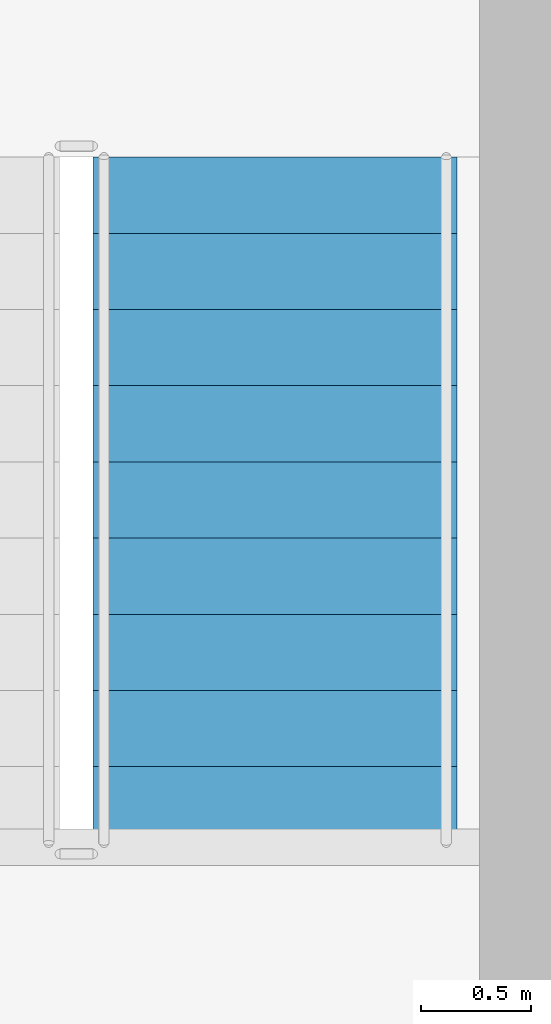
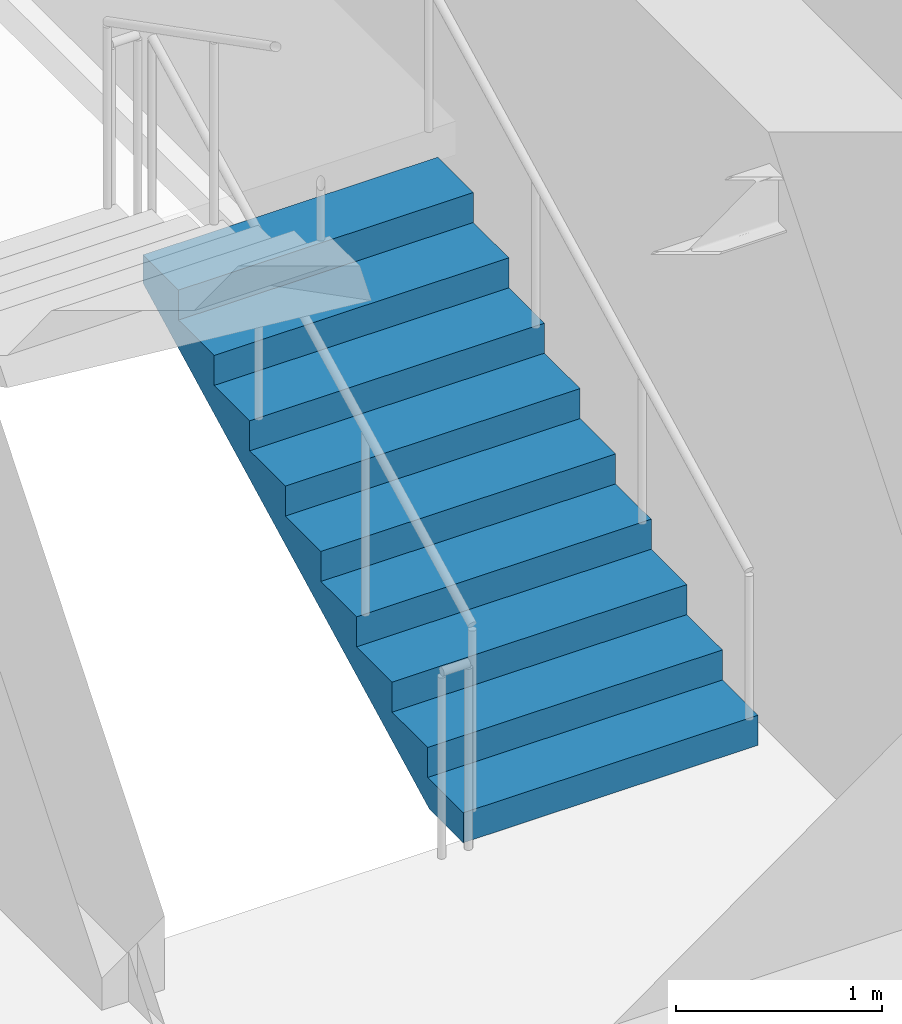
# One storey, part 16 of 21: 1 stair flight, 1 element without a shape of its own.
"""IFC4 building model written with IfcOpenShell, lengths in metres."""

from ifc_helpers import new_model, si_unit, direction, frame, origin, place, context, subcontext, project, spatial, polyline, outline, extrude, material, type_object, element, aggregate, save


model = new_model("IFC4")

# Units and contexts
model_context = context("Model", 3, precision=1e-05, world=origin(), true_north=direction((0.0, 1.0)))
body_context = subcontext(model_context, "Body", "Model", "MODEL_VIEW")
ifc_project = project(units=[si_unit("LENGTHUNIT", "METRE"), si_unit("AREAUNIT", "SQUARE_METRE"), si_unit("VOLUMEUNIT", "CUBIC_METRE"), si_unit("PLANEANGLEUNIT", "RADIAN"), si_unit("MASSUNIT", "GRAM", prefix="KILO")], contexts=[model_context])

# Site, building, storey
site_placement = place(None, origin())
site = spatial("IfcSite", under=ifc_project, at=site_placement, CompositionType="ELEMENT")
building_placement = place(site_placement, origin())
building = spatial("IfcBuilding", under=site, at=building_placement, Name="Tolvann Quenvar Hotel", CompositionType="ELEMENT")
storey_placement = place(building_placement, frame((0.0, 0.0, 161.25)))
storey = spatial("IfcBuildingStorey", under=building, at=storey_placement, Name="L42", CompositionType="ELEMENT", Elevation=161.25)

# Stair, stair flight
ifc_material = material(Name="Concrete N40 (40 MPa)", Category="concrete")
stair_type = type_object("IfcStairType", Name="STAIR", PredefinedType="HALF_TURN_STAIR", material=ifc_material)
stair_placement = place(storey_placement, origin())
stair = element("IfcStair", 1, at=stair_placement, inside=storey, type_object=stair_type, Name="L42 ST-C2", PredefinedType="HALF_TURN_STAIR")
stair_flight_type = type_object("IfcStairFlightType", Name="STAIR_FLIGHT", PredefinedType="STRAIGHT", material=ifc_material)
stair_flight_placement = place(storey_placement, frame((34.574951171875, 34.0, 0.0), z_axis=(0.0, 0.0, 1.0), x_axis=(0.0, 1.0, 0.0)))
stair_flight = element("IfcStairFlight", 2, at=stair_flight_placement, type_object=stair_flight_type, Name="ST-C2 flight 1", NumberOfRisers=10, NumberOfTreads=9, PredefinedType="STRAIGHT", RiserHeight=0.1775, TreadLength=0.345, context=body_context, shape_type="SweptSolid", body=[
    extrude(outline(polyline([(0.0, 0.0), (0.0, 0.177490234375), (0.344970703125, 0.177490234375), (0.344970703125, 0.35498046875), (0.68994140625, 0.35498046875), (0.68994140625, 0.532470703125), (1.034912109375, 0.532470703125), (1.034912109375, 0.7099609375), (1.3798828125, 0.7099609375), (1.3798828125, 0.887451171875), (1.72509765625, 0.887451171875), (1.72509765625, 1.06494140625), (2.070068359375, 1.06494140625), (2.070068359375, 1.242431640625), (2.4150390625, 1.242431640625), (2.4150390625, 1.419921875), (2.760009765625, 1.419921875), (2.760009765625, 1.597412109375), (3.10498046875, 1.597412109375), (3.10498046875, 1.77490234375), (3.10498046875, 1.428955078125), (0.32763671875, 0.0), (0.0, 0.0)])), frame((0.0, 0.824951171875, 0.0), z_axis=(0.0, -1.0, 0.0), x_axis=(1.0, 0.0, 0.0)), (0.0, 0.0, 1.0), 1.64990234375),
])
aggregate(stair, [stair_flight])

save(model, "model.ifc")
